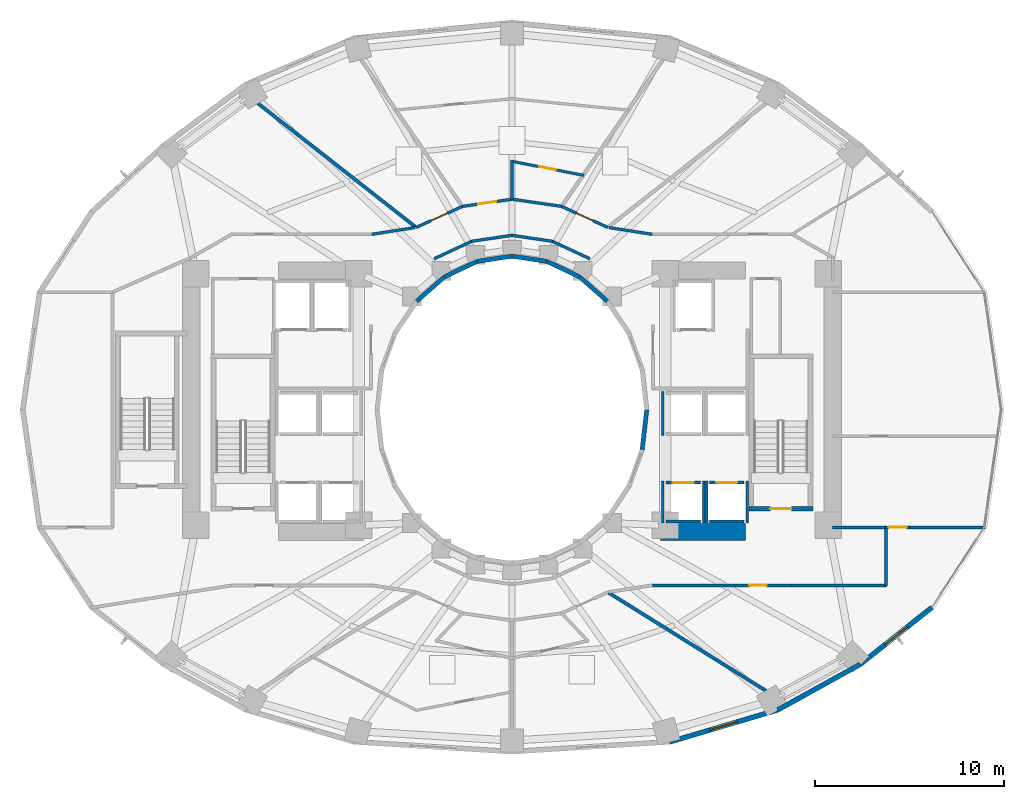
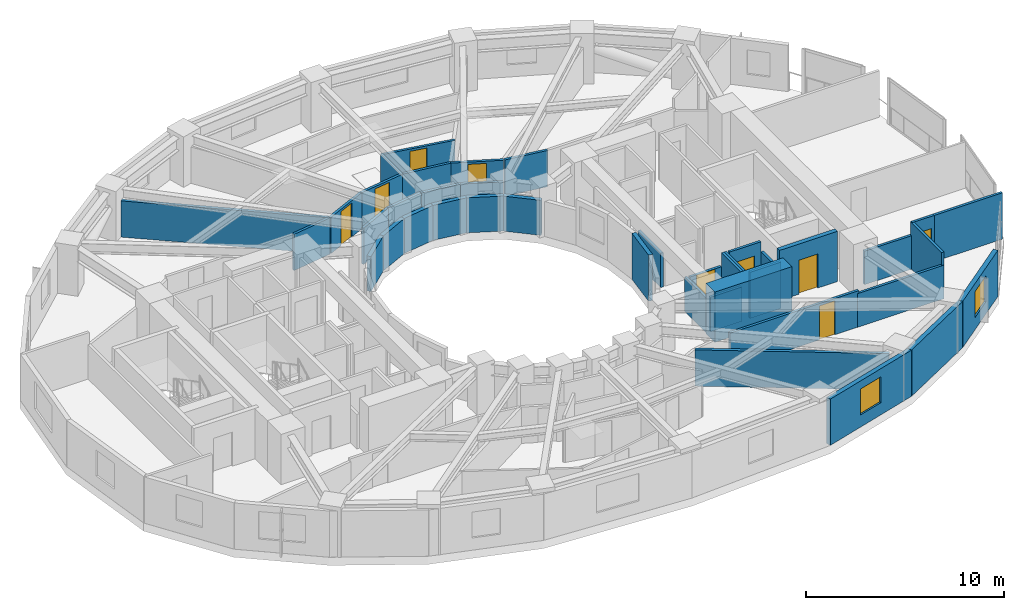
# One storey, part 9 of 14: 41 walls, 9 doors, 2 windows, 11 openings.
"""IFC4 building model written with IfcOpenShell, lengths in metres."""

from ifc_helpers import new_model, si_unit, direction, frame, frame_2d, origin, place, context, subcontext, project, spatial, rectangle, extrude, material, layer, layer_set, type_object, element, fill, save


model = new_model("IFC4")

# Units and contexts
model_context = context("Model", 3, precision=1e-05, world=origin(), true_north=direction((0.0, 1.0)))
body_context = subcontext(model_context, "Body", "Model", "MODEL_VIEW")
ifc_project = project(units=[si_unit("LENGTHUNIT", "METRE"), si_unit("AREAUNIT", "SQUARE_METRE"), si_unit("VOLUMEUNIT", "CUBIC_METRE"), si_unit("PLANEANGLEUNIT", "RADIAN"), si_unit("MASSUNIT", "GRAM", prefix="KILO")], contexts=[model_context])

# Site, building, storey
site_placement = place(None, origin())
site = spatial("IfcSite", under=ifc_project, at=site_placement, CompositionType="ELEMENT")
building_placement = place(site_placement, origin())
building = spatial("IfcBuilding", under=site, at=building_placement, Name="Solvane Sanctuary Tower", CompositionType="ELEMENT")
storey_placement = place(building_placement, frame((0.0, 0.0, 36.89990234375)))
storey = spatial("IfcBuildingStorey", under=building, at=storey_placement, Name="L10", CompositionType="ELEMENT", Elevation=36.89990234375)

# Walls
ifc_material_1 = material(Name="Concrete C70/85", Category="concrete")
ifc_layer_1 = layer(ifc_material_1, 0.89990234375, Name="Concrete C70/85")
ifc_layer_set_1 = layer_set([ifc_layer_1], Name="Concrete C70/85")
wall_type_1 = type_object("IfcWallType", Name="Wall W-CORE-900", PredefinedType="SHEAR", material=ifc_layer_set_1)
wall_1_placement = place(storey_placement, frame((39.85009765625, 16.550048828125, 0.0), z_axis=(0.0, 0.0, 1.0), x_axis=(1.0, 0.0, 0.0)))
element("IfcWall", 1, at=wall_1_placement, inside=storey, type_object=wall_type_1, Name="L10 Core Shear Wall EC-S", PredefinedType="SHEAR", context=body_context, shape_type="SweptSolid", body=[
    extrude(rectangle(XDim=4.5, YDim=0.89990234375, at=frame_2d((2.25, 0.0))), origin(), (0.0, 0.0, 1.0), 3.10009765625),
])
ifc_material_2 = material(Name="Acoustic Gypsum Partition Board")
ifc_layer_2 = layer(ifc_material_2, 0.14990234375, Name="Acoustic Gypsum Partition Board")
ifc_layer_set_2 = layer_set([ifc_layer_2], Name="Acoustic Gypsum Partition Board")
wall_type_2 = type_object("IfcWallType", Name="Wall W-CORR-150", PredefinedType="PARTITIONING", material=ifc_layer_set_2)
wall_2_placement = place(storey_placement, frame((36.110107421875, 30.98486328125, 0.0), z_axis=(0.0, 0.0, 1.0), x_axis=(-0.906943449489, 0.421252393975, 0.0)))
element("IfcWall", 2, at=wall_2_placement, inside=storey, type_object=wall_type_2, Name="L10 Light-Well Corridor Rim Wall N1", PredefinedType="PARTITIONING", context=body_context, shape_type="SweptSolid", body=[
    extrude(rectangle(XDim=2.18603515625, YDim=0.14990234375, at=frame_2d((1.093017578125, 0.0))), origin(), (0.0, 0.0, 1.0), 2.237060546875),
])
for number, where, z_axis, x_axis, name in (
    (3, (34.12744140625, 31.90576171875, 0.0), (0.0, 0.0, 1.0), (-0.989268584896, 0.146108408166, 0.0), "L10 Light-Well Corridor Rim Wall N2"),
    (4, (32.0, 32.219970703125, 0.0), (0.0, 0.0, 1.0), (-0.989268584896, -0.146108408166, 0.0), "L10 Light-Well Corridor Rim Wall N3"),
):
    element("IfcWall", number, at=place(storey_placement, frame(where, z_axis=z_axis, x_axis=x_axis)), inside=storey, type_object=wall_type_2, Name=name, PredefinedType="PARTITIONING", context=body_context, shape_type="SweptSolid", body=[
        extrude(rectangle(XDim=2.150634765625, YDim=0.14990234375, at=frame_2d((1.0751953125, 0.0))), origin(), (0.0, 0.0, 1.0), 2.237060546875),
    ])
wall_3_placement = place(storey_placement, frame((29.87255859375, 31.90576171875, 0.0), z_axis=(0.0, 0.0, 1.0), x_axis=(-0.906943449489, -0.421252393975, 0.0)))
element("IfcWall", 5, at=wall_3_placement, inside=storey, type_object=wall_type_2, Name="L10 Light-Well Corridor Rim Wall N4", PredefinedType="PARTITIONING", context=body_context, shape_type="SweptSolid", body=[
    extrude(rectangle(XDim=2.18603515625, YDim=0.14990234375, at=frame_2d((1.093017578125, 0.0))), origin(), (0.0, 0.0, 1.0), 2.237060546875),
])
wall_4_placement = place(storey_placement, frame((48.949951171875, 16.788330078125, 0.0), z_axis=(0.0, 0.0, 1.0), x_axis=(1.0, 0.0, 0.0)))
element("IfcWall", 6, at=wall_4_placement, inside=storey, type_object=wall_type_2, Name="L10 East Shoulder South Wall", PredefinedType="PARTITIONING", context=body_context, shape_type="SweptSolid", body=[
    extrude(rectangle(XDim=2.79296875, YDim=0.14990234375, at=frame_2d((1.396484375, 0.0))), origin(), (0.0, 0.0, 1.0), 2.069091796875),
])

# Wall, opening, door
wall_5_placement = place(storey_placement, frame((51.742919921875, 16.788330078125, 0.0), z_axis=(0.0, 0.0, 1.0), x_axis=(1.0, 0.0, 0.0)))
wall_5 = element("IfcWall", 7, at=wall_5_placement, inside=storey, type_object=wall_type_2, Name="L10 East Shoulder South Wall", PredefinedType="PARTITIONING", context=body_context, shape_type="SweptSolid", body=[
    extrude(rectangle(XDim=1.27001953125, YDim=0.14990234375, at=frame_2d((0.635009765625, 0.0))), origin(), (0.0, 0.0, 1.0), 2.85498046875),
])
opening_1_placement = place(wall_5_placement, frame((0.159912109375, 0.0, 0.0)))
opening_1 = element("IfcOpeningElement", 8, at=opening_1_placement, cuts=wall_5, Name="Opening D-L10-08", PredefinedType="OPENING", context=body_context, shape_type="SweptSolid", body=[
    extrude(rectangle(XDim=0.949951171875, YDim=2.10009765625, at=frame_2d((0.47509765625, 1.050048828125))), frame((0.0, 0.0849609375, 0.0), z_axis=(0.0, -1.0, 0.0), x_axis=(1.0, 0.0, 0.0)), (0.0, 0.0, 1.0), 0.169921875),
])
ifc_material_3 = material(Name="Engineered Tropical Hardwood", Category="wood")
door_type_1 = type_object("IfcDoorType", Name="Door D-ROOM-950", OperationType="NOTDEFINED", PredefinedType="DOOR", material=ifc_material_3)
door_1_placement = place(opening_1_placement, origin())
door_1 = element("IfcDoor", 9, at=door_1_placement, inside=storey, type_object=door_type_1, Name="L10 East Shoulder South Door", OperationType="SINGLE_SWING_RIGHT", OverallHeight=2.10009765625, OverallWidth=0.949951171875, PredefinedType="DOOR", context=body_context, shape_type="SweptSolid", body=[
    extrude(rectangle(XDim=0.949951171875, YDim=2.10009765625, at=frame_2d((0.47509765625, 1.050048828125))), frame((0.0, 0.02490234375, 0.0), z_axis=(0.0, -1.0, 0.0), x_axis=(1.0, 0.0, 0.0)), (0.0, 0.0, 1.0), 0.050048828125),
])
fill(opening_1, door_1)

# Walls
wall_6_placement = place(storey_placement, frame((53.012939453125, 16.788330078125, 0.0), z_axis=(0.0, 0.0, 1.0), x_axis=(1.0, 0.0, 0.0)))
element("IfcWall", 10, at=wall_6_placement, inside=storey, type_object=wall_type_2, Name="L10 East Shoulder South Wall", PredefinedType="PARTITIONING", context=body_context, shape_type="SweptSolid", body=[
    extrude(rectangle(XDim=3.973388671875, YDim=0.14990234375, at=frame_2d((1.98681640625, 0.0))), origin(), (0.0, 0.0, 1.0), 2.85498046875),
])
for number, where, z_axis, x_axis, name in (
    (11, (37.119384765625, 32.630615234375, 0.0), (0.0, 0.0, 1.0), (0.988184633586, -0.153268163508, 0.0), "L10 NE Corner Throat Wall"),
    (12, (26.880615234375, 32.630615234375, 0.0), (0.0, 0.0, 1.0), (-0.988184633586, -0.153268163508, 0.0), "L10 NW Corner Throat Wall"),
):
    element("IfcWall", number, at=place(storey_placement, frame(where, z_axis=z_axis, x_axis=x_axis)), inside=storey, type_object=wall_type_2, Name=name, PredefinedType="PARTITIONING", context=body_context, shape_type="SweptSolid", body=[
        extrude(rectangle(XDim=2.317626953125, YDim=0.14990234375, at=frame_2d((1.15869140625, 0.0))), origin(), (0.0, 0.0, 1.0), 2.237060546875),
    ])
wall_7_placement = place(storey_placement, frame((51.760009765625, 13.679931640625, 0.0), z_axis=(0.0, 0.0, 1.0), x_axis=(0.0, 1.0, 0.0)))
element("IfcWall", 13, at=wall_7_placement, inside=storey, type_object=wall_type_2, Name="L10 SE Corner Closer 1", PredefinedType="PARTITIONING", context=body_context, shape_type="SweptSolid", body=[
    extrude(rectangle(XDim=3.1484375, YDim=0.14990234375, at=frame_2d((1.57421875, 0.0))), origin(), (0.0, 0.0, 1.0), 2.85498046875),
])

# Wall, opening, door
wall_8_placement = place(storey_placement, frame((39.330078125, 13.719970703125, 0.0), z_axis=(0.0, 0.0, 1.0), x_axis=(1.0, 0.0, 0.0)))
wall_8 = element("IfcWall", 14, at=wall_8_placement, inside=storey, type_object=wall_type_2, Name="L10 SE Corner Corridor Wall", PredefinedType="PARTITIONING", context=body_context, shape_type="SweptSolid", body=[
    extrude(rectangle(XDim=7.52001953125, YDim=0.14990234375, at=frame_2d((3.760009765625, 0.0))), origin(), (0.0, 0.0, 1.0), 2.237060546875),
])
opening_2_placement = place(wall_8_placement, frame((5.219970703125, 0.0, 0.0)))
opening_2 = element("IfcOpeningElement", 15, at=opening_2_placement, cuts=wall_8, Name="Opening D-L10-15", PredefinedType="OPENING", context=body_context, shape_type="SweptSolid", body=[
    extrude(rectangle(XDim=0.89990234375, YDim=2.10009765625, at=frame_2d((0.449951171875, 1.050048828125))), frame((0.0, 0.0849609375, 0.0), z_axis=(0.0, -1.0, 0.0), x_axis=(1.0, 0.0, 0.0)), (0.0, 0.0, 1.0), 0.169921875),
])
door_type_2 = type_object("IfcDoorType", Name="Door D-WET-900", OperationType="NOTDEFINED", PredefinedType="DOOR", material=ifc_material_3)
door_2_placement = place(opening_2_placement, origin())
door_2 = element("IfcDoor", 16, at=door_2_placement, inside=storey, type_object=door_type_2, Name="L10 SE Corner Salon Door", OperationType="SINGLE_SWING_LEFT", OverallHeight=2.10009765625, OverallWidth=0.89990234375, PredefinedType="DOOR", context=body_context, shape_type="SweptSolid", body=[
    extrude(rectangle(XDim=0.89990234375, YDim=2.10009765625, at=frame_2d((0.449951171875, 1.050048828125))), frame((0.0, 0.02490234375, 0.0), z_axis=(0.0, -1.0, 0.0), x_axis=(1.0, 0.0, 0.0)), (0.0, 0.0, 1.0), 0.050048828125),
])
fill(opening_2, door_2)

# Wall
wall_9_placement = place(storey_placement, frame((46.75, 13.719970703125, 0.0), z_axis=(0.0, 0.0, 1.0), x_axis=(1.0, 0.0, 0.0)))
element("IfcWall", 17, at=wall_9_placement, inside=storey, type_object=wall_type_2, Name="L10 SE Corner Wing Wall", PredefinedType="PARTITIONING", context=body_context, shape_type="SweptSolid", body=[
    extrude(rectangle(XDim=5.050048828125, YDim=0.14990234375, at=frame_2d((2.52490234375, 0.0))), origin(), (0.0, 0.0, 1.0), 2.069091796875),
])

# Wall, opening, door
wall_10_placement = place(storey_placement, frame((37.071044921875, 32.635009765625, 0.0), z_axis=(0.0, 0.0, 1.0), x_axis=(-0.910186679378, 0.414198272186, 0.0)))
wall_10 = element("IfcWall", 18, at=wall_10_placement, inside=storey, type_object=wall_type_2, Name="L10 Unit Corridor Wall N1", PredefinedType="PARTITIONING", context=body_context, shape_type="SweptSolid", body=[
    extrude(rectangle(XDim=2.698486328125, YDim=0.14990234375, at=frame_2d((1.34912109375, 0.0))), origin(), (0.0, 0.0, 1.0), 2.237060546875),
])
opening_3_placement = place(wall_10_placement, frame((0.874267578125, 0.0, 0.0)))
opening_3 = element("IfcOpeningElement", 19, at=opening_3_placement, cuts=wall_10, Name="Opening D-L10-16", PredefinedType="OPENING", context=body_context, shape_type="SweptSolid", body=[
    extrude(rectangle(XDim=0.949951171875, YDim=2.10009765625, at=frame_2d((0.47509765625, 1.050048828125))), frame((0.0, 0.0849609375, 0.0), z_axis=(0.0, -1.0, 0.0), x_axis=(1.0, 0.0, 0.0)), (0.0, 0.0, 1.0), 0.169921875),
])
door_3_placement = place(opening_3_placement, origin())
door_3 = element("IfcDoor", 20, at=door_3_placement, inside=storey, type_object=door_type_1, Name="L10 Unit Entrance Door N1", OperationType="SINGLE_SWING_RIGHT", OverallHeight=2.10009765625, OverallWidth=0.949951171875, PredefinedType="DOOR", context=body_context, shape_type="SweptSolid", body=[
    extrude(rectangle(XDim=0.949951171875, YDim=2.10009765625, at=frame_2d((0.47509765625, 1.050048828125))), frame((0.0, 0.02490234375, 0.0), z_axis=(0.0, -1.0, 0.0), x_axis=(1.0, 0.0, 0.0)), (0.0, 0.0, 1.0), 0.050048828125),
])
fill(opening_3, door_3)

# Wall
wall_11_placement = place(storey_placement, frame((34.67138671875, 33.74365234375, 0.0), z_axis=(0.0, 0.0, 1.0), x_axis=(-0.989701115085, 0.143149232617, 0.0)))
element("IfcWall", 21, at=wall_11_placement, inside=storey, type_object=wall_type_2, Name="L10 En-suite Inner Wall N2", PredefinedType="PARTITIONING", context=body_context, shape_type="SweptSolid", body=[
    extrude(rectangle(XDim=2.749267578125, YDim=0.14990234375, at=frame_2d((1.37451171875, 0.0))), origin(), (0.0, 0.0, 1.0), 2.237060546875),
])

# Wall, opening, door
wall_12_placement = place(storey_placement, frame((32.007080078125, 34.1298828125, 0.0), z_axis=(0.0, 0.0, 1.0), x_axis=(-0.989707881179, -0.143102445584, 0.0)))
wall_12 = element("IfcWall", 22, at=wall_12_placement, inside=storey, type_object=wall_type_2, Name="L10 Unit Corridor Wall N2", PredefinedType="PARTITIONING", context=body_context, shape_type="SweptSolid", body=[
    extrude(rectangle(XDim=2.6630859375, YDim=0.14990234375, at=frame_2d((1.33154296875, 0.0))), origin(), (0.0, 0.0, 1.0), 2.237060546875),
])
opening_4_placement = place(wall_12_placement, frame((0.856689453125, 0.0, 0.0)))
opening_4 = element("IfcOpeningElement", 23, at=opening_4_placement, cuts=wall_12, Name="Opening D-L10-19", PredefinedType="OPENING", context=body_context, shape_type="SweptSolid", body=[
    extrude(rectangle(XDim=0.949951171875, YDim=2.10009765625, at=frame_2d((0.47509765625, 1.050048828125))), frame((0.0, 0.0849609375, 0.0), z_axis=(0.0, -1.0, 0.0), x_axis=(1.0, 0.0, 0.0)), (0.0, 0.0, 1.0), 0.169921875),
])
door_4_placement = place(opening_4_placement, origin())
door_4 = element("IfcDoor", 24, at=door_4_placement, inside=storey, type_object=door_type_1, Name="L10 Unit Entrance Door N2", OperationType="SINGLE_SWING_LEFT", OverallHeight=2.10009765625, OverallWidth=0.949951171875, PredefinedType="DOOR", context=body_context, shape_type="SweptSolid", body=[
    extrude(rectangle(XDim=0.949951171875, YDim=2.10009765625, at=frame_2d((0.47509765625, 1.050048828125))), frame((0.0, 0.02490234375, 0.0), z_axis=(0.0, -1.0, 0.0), x_axis=(1.0, 0.0, 0.0)), (0.0, 0.0, 1.0), 0.050048828125),
])
fill(opening_4, door_4)

wall_13_placement = place(storey_placement, frame((29.385009765625, 33.752685546875, 0.0), z_axis=(0.0, 0.0, 1.0), x_axis=(-0.910186679378, -0.414198272186, 0.0)))
wall_13 = element("IfcWall", 25, at=wall_13_placement, inside=storey, type_object=wall_type_2, Name="L10 Unit Corridor Wall N3", PredefinedType="PARTITIONING", context=body_context, shape_type="SweptSolid", body=[
    extrude(rectangle(XDim=2.698486328125, YDim=0.14990234375, at=frame_2d((1.34912109375, 0.0))), origin(), (0.0, 0.0, 1.0), 2.237060546875),
])
opening_5_placement = place(wall_13_placement, frame((0.874267578125, 0.0, 0.0)))
opening_5 = element("IfcOpeningElement", 26, at=opening_5_placement, cuts=wall_13, Name="Opening D-L10-20", PredefinedType="OPENING", context=body_context, shape_type="SweptSolid", body=[
    extrude(rectangle(XDim=0.949951171875, YDim=2.10009765625, at=frame_2d((0.47509765625, 1.050048828125))), frame((0.0, 0.0849609375, 0.0), z_axis=(0.0, -1.0, 0.0), x_axis=(1.0, 0.0, 0.0)), (0.0, 0.0, 1.0), 0.169921875),
])
door_5_placement = place(opening_5_placement, origin())
door_5 = element("IfcDoor", 27, at=door_5_placement, inside=storey, type_object=door_type_1, Name="L10 Unit Entrance Door N3", OperationType="SINGLE_SWING_RIGHT", OverallHeight=2.10009765625, OverallWidth=0.949951171875, PredefinedType="DOOR", context=body_context, shape_type="SweptSolid", body=[
    extrude(rectangle(XDim=0.949951171875, YDim=2.10009765625, at=frame_2d((0.47509765625, 1.050048828125))), frame((0.0, 0.02490234375, 0.0), z_axis=(0.0, -1.0, 0.0), x_axis=(1.0, 0.0, 0.0)), (0.0, 0.0, 1.0), 0.050048828125),
])
fill(opening_5, door_5)

# Wall, opening, window
ifc_material_4 = material(Name="Precast concrete C40/50", Category="concrete")
ifc_layer_3 = layer(ifc_material_4, 0.260009765625, Name="Precast concrete C40/50")
ifc_layer_set_3 = layer_set([ifc_layer_3], Name="Precast concrete C40/50")
wall_type_3 = type_object("IfcWallType", Name="Wall W-EXT-250", PredefinedType="STANDARD", material=ifc_layer_set_3)
wall_14_placement = place(storey_placement, frame((40.331787109375, 5.447021484375, 0.0), z_axis=(0.0, 0.0, 1.0), x_axis=(0.958843593522, 0.283934786811, 0.0)))
wall_14 = element("IfcWall", 28, at=wall_14_placement, inside=storey, type_object=wall_type_3, Name="L10 Ceramic-Printed Facade Wall 19", PredefinedType="STANDARD", context=body_context, shape_type="SweptSolid", body=[
    extrude(rectangle(XDim=5.955322265625, YDim=0.260009765625, at=frame_2d((2.9775390625, 0.0))), origin(), (0.0, 0.0, 1.0), 2.85009765625),
])
opening_6_placement = place(wall_14_placement, frame((2.227783203125, 0.0, 0.75)))
opening_6 = element("IfcOpeningElement", 29, at=opening_6_placement, cuts=wall_14, Name="Opening WN-OPER-1500", PredefinedType="OPENING", context=body_context, shape_type="SweptSolid", body=[
    extrude(rectangle(XDim=1.5, YDim=1.60009765625, at=frame_2d((0.75, 0.800048828125))), frame((0.0, 0.139892578125, 0.0), z_axis=(0.0, -1.0, 0.0), x_axis=(1.0, 0.0, 0.0)), (0.0, 0.0, 1.0), 0.280029296875),
])
ifc_material_5 = material(Name="Dark Ceramic-Fritted Low-E Glass", Category="glass")
window_type = type_object("IfcWindowType", Name="Window WN-OPER-1500", PartitioningType="SINGLE_PANEL", PredefinedType="WINDOW", material=ifc_material_5)
window_1_placement = place(opening_6_placement, origin())
window_1 = element("IfcWindow", 30, at=window_1_placement, inside=storey, type_object=window_type, Name="L10 Operable Facade Window 19", OverallHeight=1.60009765625, OverallWidth=1.5, PartitioningType="SINGLE_PANEL", PredefinedType="WINDOW", context=body_context, shape_type="SweptSolid", body=[
    extrude(rectangle(XDim=1.5, YDim=1.60009765625, at=frame_2d((0.75, 0.800048828125))), frame((0.0, 0.030029296875, 0.0), z_axis=(0.0, -1.0, 0.0), x_axis=(1.0, 0.0, 0.0)), (0.0, 0.0, 1.0), 0.06005859375),
])
fill(opening_6, window_1)

# Wall
wall_15_placement = place(storey_placement, frame((46.0419921875, 7.137939453125, 0.0), z_axis=(0.0, 0.0, 1.0), x_axis=(0.875137303239, 0.483874674352, 0.0)))
element("IfcWall", 31, at=wall_15_placement, inside=storey, type_object=wall_type_3, Name="L10 Ceramic-Printed Facade Wall 20", PredefinedType="STANDARD", context=body_context, shape_type="SweptSolid", body=[
    extrude(rectangle(XDim=4.985107421875, YDim=0.260009765625, at=frame_2d((2.49267578125, 0.0))), origin(), (0.0, 0.0, 1.0), 2.85009765625),
])

# Wall, opening, window
wall_16_placement = place(storey_placement, frame((50.404541015625, 9.550048828125, 0.0), z_axis=(0.0, 0.0, 1.0), x_axis=(0.783123133379, 0.621866672179, 0.0)))
wall_16 = element("IfcWall", 32, at=wall_16_placement, inside=storey, type_object=wall_type_3, Name="L10 Ceramic-Printed Facade Wall 21", PredefinedType="STANDARD", context=body_context, shape_type="SweptSolid", body=[
    extrude(rectangle(XDim=4.838623046875, YDim=0.260009765625, at=frame_2d((2.41943359375, 0.0))), origin(), (0.0, 0.0, 1.0), 2.85009765625),
])
opening_7_placement = place(wall_16_placement, frame((1.669189453125, 0.0, 0.75)))
opening_7 = element("IfcOpeningElement", 33, at=opening_7_placement, cuts=wall_16, Name="Opening WN-OPER-1500", PredefinedType="OPENING", context=body_context, shape_type="SweptSolid", body=[
    extrude(rectangle(XDim=1.5, YDim=1.60009765625, at=frame_2d((0.75, 0.800048828125))), frame((0.0, 0.139892578125, 0.0), z_axis=(0.0, -1.0, 0.0), x_axis=(1.0, 0.0, 0.0)), (0.0, 0.0, 1.0), 0.280029296875),
])
window_2_placement = place(opening_7_placement, origin())
window_2 = element("IfcWindow", 34, at=window_2_placement, inside=storey, type_object=window_type, Name="L10 Operable Facade Window 21", OverallHeight=1.60009765625, OverallWidth=1.5, PartitioningType="SINGLE_PANEL", PredefinedType="WINDOW", context=body_context, shape_type="SweptSolid", body=[
    extrude(rectangle(XDim=1.5, YDim=1.60009765625, at=frame_2d((0.75, 0.800048828125))), frame((0.0, 0.030029296875, 0.0), z_axis=(0.0, -1.0, 0.0), x_axis=(1.0, 0.0, 0.0)), (0.0, 0.0, 1.0), 0.06005859375),
])
fill(opening_7, window_2)

# Walls
ifc_layer_4 = layer(ifc_material_4, 0.22998046875, Name="Precast concrete C40/50")
ifc_layer_set_4 = layer_set([ifc_layer_4], Name="Precast concrete C40/50")
wall_type_4 = type_object("IfcWallType", Name="Wall W-EXT-SP220", PredefinedType="STANDARD", material=ifc_layer_set_4)
wall_17_placement = place(storey_placement, frame((37.03466796875, 28.74169921875, 0.0), z_axis=(0.0, 0.0, 1.0), x_axis=(-0.752576694707, 0.658504607869, 0.0)))
element("IfcWall", 35, at=wall_17_placement, inside=storey, type_object=wall_type_4, Name="L10 Central Light-Well Wall 03", PredefinedType="STANDARD", context=body_context, shape_type="SweptSolid", body=[
    extrude(rectangle(XDim=1.95947265625, YDim=0.22998046875, at=frame_2d((0.979736328125, 0.0))), origin(), (0.0, 0.0, 1.0), 2.16015625),
])
wall_18_placement = place(storey_placement, frame((35.56005859375, 30.031982421875, 0.0), z_axis=(0.0, 0.0, 1.0), x_axis=(-0.904179699603, 0.427152280606, 0.0)))
element("IfcWall", 36, at=wall_18_placement, inside=storey, type_object=wall_type_4, Name="L10 Central Light-Well Wall 04", PredefinedType="STANDARD", context=body_context, shape_type="SweptSolid", body=[
    extrude(rectangle(XDim=1.899169921875, YDim=0.22998046875, at=frame_2d((0.94970703125, 0.0))), origin(), (0.0, 0.0, 1.0), 2.16015625),
])
for number, where, z_axis, x_axis, name in (
    (37, (33.8427734375, 30.84326171875, 0.0), (0.0, 0.0, 1.0), (-0.988901730308, 0.148571086668, 0.0), "L10 Central Light-Well Wall 05"),
    (38, (32.0, 31.1201171875, 0.0), (0.0, 0.0, 1.0), (-0.988901730308, -0.148571086668, 0.0), "L10 Central Light-Well Wall 06"),
):
    element("IfcWall", number, at=place(storey_placement, frame(where, z_axis=z_axis, x_axis=x_axis)), inside=storey, type_object=wall_type_4, Name=name, PredefinedType="STANDARD", context=body_context, shape_type="SweptSolid", body=[
        extrude(rectangle(XDim=1.863525390625, YDim=0.22998046875, at=frame_2d((0.931640625, 0.0))), origin(), (0.0, 0.0, 1.0), 2.16015625),
    ])
wall_19_placement = place(storey_placement, frame((30.1572265625, 30.84326171875, 0.0), z_axis=(0.0, 0.0, 1.0), x_axis=(-0.904179699603, -0.427152280606, 0.0)))
element("IfcWall", 39, at=wall_19_placement, inside=storey, type_object=wall_type_4, Name="L10 Central Light-Well Wall 07", PredefinedType="STANDARD", context=body_context, shape_type="SweptSolid", body=[
    extrude(rectangle(XDim=1.899169921875, YDim=0.22998046875, at=frame_2d((0.94970703125, 0.0))), origin(), (0.0, 0.0, 1.0), 2.16015625),
])
wall_20_placement = place(storey_placement, frame((28.43994140625, 30.031982421875, 0.0), z_axis=(0.0, 0.0, 1.0), x_axis=(-0.752576694707, -0.658504607869, 0.0)))
element("IfcWall", 40, at=wall_20_placement, inside=storey, type_object=wall_type_4, Name="L10 Central Light-Well Wall 08", PredefinedType="STANDARD", context=body_context, shape_type="SweptSolid", body=[
    extrude(rectangle(XDim=1.95947265625, YDim=0.22998046875, at=frame_2d((0.979736328125, 0.0))), origin(), (0.0, 0.0, 1.0), 2.16015625),
])
wall_21_placement = place(storey_placement, frame((38.87744140625, 20.8984375, 0.0), z_axis=(0.0, 0.0, 1.0), x_axis=(0.114711713601, 0.993398823617, 0.0)))
element("IfcWall", 41, at=wall_21_placement, inside=storey, type_object=wall_type_4, Name="L10 Central Light-Well Wall 23", PredefinedType="STANDARD", context=body_context, shape_type="SweptSolid", body=[
    extrude(rectangle(XDim=2.115478515625, YDim=0.22998046875, at=frame_2d((1.0576171875, 0.0))), origin(), (0.0, 0.0, 1.0), 2.840087890625),
])

# Wall, opening, door
ifc_material_6 = material(Name="Concrete C50/60", Category="concrete")
ifc_layer_5 = layer(ifc_material_6, 0.14990234375, Name="Concrete C50/60")
ifc_layer_set_5 = layer_set([ifc_layer_5], Name="Concrete C50/60")
wall_type_5 = type_object("IfcWallType", Name="Wall W-SHAFT-150", PredefinedType="SOLIDWALL", material=ifc_layer_set_5)
wall_22_placement = place(storey_placement, frame((40.139892578125, 19.159912109375, 0.0), z_axis=(0.0, 0.0, 1.0), x_axis=(1.0, 0.0, 0.0)))
wall_22 = element("IfcWall", 42, at=wall_22_placement, inside=storey, type_object=wall_type_5, Name="L10 PL-3 Lift Shaft Wall F", PredefinedType="SOLIDWALL", context=body_context, shape_type="SweptSolid", body=[
    extrude(rectangle(XDim=1.820068359375, YDim=0.14990234375, at=frame_2d((0.91015625, 0.0))), origin(), (0.0, 0.0, 1.0), 2.1201171875),
])
opening_8_placement = place(wall_22_placement, frame((0.360107421875, 0.0, 0.0)))
opening_8 = element("IfcOpeningElement", 43, at=opening_8_placement, cuts=wall_22, Name="Opening LD-L10-03", PredefinedType="OPENING", context=body_context, shape_type="SweptSolid", body=[
    extrude(rectangle(XDim=1.10009765625, YDim=2.10009765625, at=frame_2d((0.550048828125, 1.050048828125))), frame((0.0, 0.0849609375, 0.0), z_axis=(0.0, -1.0, 0.0), x_axis=(1.0, 0.0, 0.0)), (0.0, 0.0, 1.0), 0.169921875),
])
ifc_material_7 = material(Name="Architectural Stainless Steel 316", Category="steel")
door_type_3 = type_object("IfcDoorType", Name="Door LD-PASS-1100", OperationType="NOTDEFINED", PredefinedType="DOOR", material=ifc_material_7)
door_6_placement = place(opening_8_placement, origin())
door_6 = element("IfcDoor", 44, at=door_6_placement, inside=storey, type_object=door_type_3, Name="L10 PL-3 Lift Landing Door", OperationType="DOUBLE_DOOR_SLIDING", OverallHeight=2.10009765625, OverallWidth=1.10009765625, PredefinedType="DOOR", context=body_context, shape_type="SweptSolid", body=[
    extrude(rectangle(XDim=1.10009765625, YDim=2.10009765625, at=frame_2d((0.550048828125, 1.050048828125))), frame((0.0, 0.02490234375, 0.0), z_axis=(0.0, -1.0, 0.0), x_axis=(1.0, 0.0, 0.0)), (0.0, 0.0, 1.0), 0.050048828125),
])
fill(opening_8, door_6)

# Walls
wall_23_placement = place(storey_placement, frame((40.139892578125, 17.10009765625, 0.0), z_axis=(0.0, 0.0, 1.0), x_axis=(1.0, 0.0, 0.0)))
element("IfcWall", 45, at=wall_23_placement, inside=storey, type_object=wall_type_5, Name="L10 PL-3 Lift Shaft Wall B", PredefinedType="SOLIDWALL", context=body_context, shape_type="SweptSolid", body=[
    extrude(rectangle(XDim=1.820068359375, YDim=0.14990234375, at=frame_2d((0.91015625, 0.0))), origin(), (0.0, 0.0, 1.0), 2.1201171875),
])
wall_24_placement = place(storey_placement, frame((39.969970703125, 17.02001953125, 0.0), z_axis=(0.0, 0.0, 1.0), x_axis=(0.0, 1.0, 0.0)))
element("IfcWall", 46, at=wall_24_placement, inside=storey, type_object=wall_type_5, Name="L10 PL-3 Lift Shaft Wall S1", PredefinedType="SOLIDWALL", context=body_context, shape_type="SweptSolid", body=[
    extrude(rectangle(XDim=2.219970703125, YDim=0.14990234375, at=frame_2d((1.10986328125, 0.0))), origin(), (0.0, 0.0, 1.0), 2.1201171875),
])
wall_25_placement = place(storey_placement, frame((42.1298828125, 17.02001953125, 0.0), z_axis=(0.0, 0.0, 1.0), x_axis=(0.0, 1.0, 0.0)))
element("IfcWall", 47, at=wall_25_placement, inside=storey, type_object=wall_type_5, Name="L10 PL-3 Lift Shaft Wall S2", PredefinedType="SOLIDWALL", context=body_context, shape_type="SweptSolid", body=[
    extrude(rectangle(XDim=2.219970703125, YDim=0.14990234375, at=frame_2d((1.10986328125, 0.0))), origin(), (0.0, 0.0, 1.0), 2.85498046875),
])

# Wall, opening, door
wall_26_placement = place(storey_placement, frame((42.43994140625, 19.159912109375, 0.0), z_axis=(0.0, 0.0, 1.0), x_axis=(1.0, 0.0, 0.0)))
wall_26 = element("IfcWall", 48, at=wall_26_placement, inside=storey, type_object=wall_type_5, Name="L10 PL-4 Lift Shaft Wall F", PredefinedType="SOLIDWALL", context=body_context, shape_type="SweptSolid", body=[
    extrude(rectangle(XDim=1.820068359375, YDim=0.14990234375, at=frame_2d((0.91015625, 0.0))), origin(), (0.0, 0.0, 1.0), 2.85498046875),
])
opening_9_placement = place(wall_26_placement, frame((0.360107421875, 0.0, 0.0)))
opening_9 = element("IfcOpeningElement", 49, at=opening_9_placement, cuts=wall_26, Name="Opening LD-L10-04", PredefinedType="OPENING", context=body_context, shape_type="SweptSolid", body=[
    extrude(rectangle(XDim=1.10009765625, YDim=2.10009765625, at=frame_2d((0.550048828125, 1.050048828125))), frame((0.0, 0.0849609375, 0.0), z_axis=(0.0, -1.0, 0.0), x_axis=(1.0, 0.0, 0.0)), (0.0, 0.0, 1.0), 0.169921875),
])
door_7_placement = place(opening_9_placement, origin())
door_7 = element("IfcDoor", 50, at=door_7_placement, inside=storey, type_object=door_type_3, Name="L10 PL-4 Lift Landing Door", OperationType="DOUBLE_DOOR_SLIDING", OverallHeight=2.10009765625, OverallWidth=1.10009765625, PredefinedType="DOOR", context=body_context, shape_type="SweptSolid", body=[
    extrude(rectangle(XDim=1.10009765625, YDim=2.10009765625, at=frame_2d((0.550048828125, 1.050048828125))), frame((0.0, 0.02490234375, 0.0), z_axis=(0.0, -1.0, 0.0), x_axis=(1.0, 0.0, 0.0)), (0.0, 0.0, 1.0), 0.050048828125),
])
fill(opening_9, door_7)

# Walls
wall_27_placement = place(storey_placement, frame((42.43994140625, 17.10009765625, 0.0), z_axis=(0.0, 0.0, 1.0), x_axis=(1.0, 0.0, 0.0)))
element("IfcWall", 51, at=wall_27_placement, inside=storey, type_object=wall_type_5, Name="L10 PL-4 Lift Shaft Wall B", PredefinedType="SOLIDWALL", context=body_context, shape_type="SweptSolid", body=[
    extrude(rectangle(XDim=1.820068359375, YDim=0.14990234375, at=frame_2d((0.91015625, 0.0))), origin(), (0.0, 0.0, 1.0), 2.85498046875),
])
wall_28_placement = place(storey_placement, frame((42.27001953125, 17.02001953125, 0.0), z_axis=(0.0, 0.0, 1.0), x_axis=(0.0, 1.0, 0.0)))
element("IfcWall", 52, at=wall_28_placement, inside=storey, type_object=wall_type_5, Name="L10 PL-4 Lift Shaft Wall S1", PredefinedType="SOLIDWALL", context=body_context, shape_type="SweptSolid", body=[
    extrude(rectangle(XDim=2.219970703125, YDim=0.14990234375, at=frame_2d((1.10986328125, 0.0))), origin(), (0.0, 0.0, 1.0), 2.85498046875),
])
wall_29_placement = place(storey_placement, frame((44.429931640625, 17.02001953125, 0.0), z_axis=(0.0, 0.0, 1.0), x_axis=(0.0, 1.0, 0.0)))
element("IfcWall", 53, at=wall_29_placement, inside=storey, type_object=wall_type_5, Name="L10 PL-4 Lift Shaft Wall S2", PredefinedType="SOLIDWALL", context=body_context, shape_type="SweptSolid", body=[
    extrude(rectangle(XDim=2.219970703125, YDim=0.14990234375, at=frame_2d((1.10986328125, 0.0))), origin(), (0.0, 0.0, 1.0), 2.1201171875),
])
wall_30_placement = place(storey_placement, frame((39.969970703125, 21.639892578125, 0.0), z_axis=(0.0, 0.0, 1.0), x_axis=(0.0, 1.0, 0.0)))
element("IfcWall", 54, at=wall_30_placement, inside=storey, type_object=wall_type_5, Name="L10 PH-2 Lift Shaft Wall S1", PredefinedType="SOLIDWALL", context=body_context, shape_type="SweptSolid", body=[
    extrude(rectangle(XDim=2.320068359375, YDim=0.14990234375, at=frame_2d((1.16015625, 0.0))), origin(), (0.0, 0.0, 1.0), 2.1201171875),
])

# Wall, opening, door
ifc_layer_6 = layer(ifc_material_6, 0.25, Name="Concrete C50/60")
ifc_layer_set_6 = layer_set([ifc_layer_6], Name="Concrete C50/60")
wall_type_6 = type_object("IfcWallType", Name="Wall W-SHAFT-250", PredefinedType="SOLIDWALL", material=ifc_layer_set_6)
wall_31_placement = place(storey_placement, frame((44.52490234375, 17.77001953125, 0.0), z_axis=(0.0, 0.0, 1.0), x_axis=(1.0, 0.0, 0.0)))
wall_31 = element("IfcWall", 55, at=wall_31_placement, inside=storey, type_object=wall_type_6, Name="L10 ST-2 Load-Bearing Shaft Wall S", PredefinedType="SOLIDWALL", context=body_context, shape_type="SweptSolid", body=[
    extrude(rectangle(XDim=3.3701171875, YDim=0.25, at=frame_2d((1.68505859375, 0.0))), origin(), (0.0, 0.0, 1.0), 3.10009765625),
])
opening_10_placement = place(wall_31_placement, frame((1.135009765625, 0.0, 0.0)))
opening_10 = element("IfcOpeningElement", 56, at=opening_10_placement, cuts=wall_31, Name="Opening D-L10-02", PredefinedType="OPENING", context=body_context, shape_type="SweptSolid", body=[
    extrude(rectangle(XDim=1.10009765625, YDim=2.10009765625, at=frame_2d((0.550048828125, 1.050048828125))), frame((0.0, 0.135009765625, 0.0), z_axis=(0.0, -1.0, 0.0), x_axis=(1.0, 0.0, 0.0)), (0.0, 0.0, 1.0), 0.27001953125),
])
door_type_4 = type_object("IfcDoorType", Name="Door D-STAIR", OperationType="NOTDEFINED", PredefinedType="DOOR", material=ifc_material_7)
door_8_placement = place(opening_10_placement, origin())
door_8 = element("IfcDoor", 57, at=door_8_placement, inside=storey, type_object=door_type_4, Name="L10 ST-2 Exit Stair Fire Door", OperationType="SINGLE_SWING_LEFT", OverallHeight=2.10009765625, OverallWidth=1.10009765625, PredefinedType="DOOR", context=body_context, shape_type="SweptSolid", body=[
    extrude(rectangle(XDim=1.10009765625, YDim=2.10009765625, at=frame_2d((0.550048828125, 1.050048828125))), frame((0.0, 0.02490234375, 0.0), z_axis=(0.0, -1.0, 0.0), x_axis=(1.0, 0.0, 0.0)), (0.0, 0.0, 1.0), 0.050048828125),
])
fill(opening_10, door_8)

# Walls
ifc_layer_7 = layer(ifc_material_2, 0.179931640625, Name="Acoustic Gypsum Partition Board")
ifc_layer_set_7 = layer_set([ifc_layer_7], Name="Acoustic Gypsum Partition Board")
wall_type_7 = type_object("IfcWallType", Name="Wall W-UNIT-180", PredefinedType="PARTITIONING", material=ifc_layer_set_7)
wall_32_placement = place(storey_placement, frame((26.8916015625, 32.6728515625, 0.0), z_axis=(0.0, 0.0, 1.0), x_axis=(-0.78700868866, 0.616941912966, 0.0)))
element("IfcWall", 58, at=wall_32_placement, inside=storey, type_object=wall_type_7, Name="L10 Radial Compartment Wall 120", PredefinedType="PARTITIONING", context=body_context, shape_type="SweptSolid", body=[
    extrude(rectangle(XDim=10.5830078125, YDim=0.179931640625, at=frame_2d((5.29150390625, 0.0))), origin(), (0.0, 0.0, 1.0), 2.237060546875),
])
wall_33_placement = place(storey_placement, frame((37.11181640625, 13.33203125, 0.0), z_axis=(0.0, 0.0, 1.0), x_axis=(0.848647785721, -0.52895834977, 0.0)))
element("IfcWall", 59, at=wall_33_placement, inside=storey, type_object=wall_type_7, Name="L10 Radial Compartment Wall 300", PredefinedType="PARTITIONING", context=body_context, shape_type="SweptSolid", body=[
    extrude(rectangle(XDim=9.810302734375, YDim=0.179931640625, at=frame_2d((4.9052734375, 0.0))), origin(), (0.0, 0.0, 1.0), 2.237060546875),
])
ifc_layer_8 = layer(ifc_material_2, 0.139892578125, Name="Acoustic Gypsum Partition Board")
ifc_layer_set_8 = layer_set([ifc_layer_8], Name="Acoustic Gypsum Partition Board")
wall_type_8 = type_object("IfcWallType", Name="Wall W-WET-140", PredefinedType="PLUMBINGWALL", material=ifc_layer_set_8)
wall_34_placement = place(storey_placement, frame((32.0, 34.080078125, 0.0), z_axis=(0.0, 0.0, 1.0), x_axis=(0.0, 1.0, 0.0)))
element("IfcWall", 60, at=wall_34_placement, inside=storey, type_object=wall_type_8, Name="L10 En-suite Side Partition N2", PredefinedType="PLUMBINGWALL", context=body_context, shape_type="SweptSolid", body=[
    extrude(rectangle(XDim=2.099853515625, YDim=0.139892578125, at=frame_2d((1.0498046875, 0.0))), origin(), (0.0, 0.0, 1.0), 2.237060546875),
])

# Wall, opening, door
wall_35_placement = place(storey_placement, frame((35.80810546875, 35.386474609375, 0.0), z_axis=(0.0, 0.0, 1.0), x_axis=(-0.981464096276, 0.191646100197, 0.0)))
wall_35 = element("IfcWall", 61, at=wall_35_placement, inside=storey, type_object=wall_type_8, Name="L10 En-suite Bedroom Wall N2", PredefinedType="PLUMBINGWALL", context=body_context, shape_type="SweptSolid", body=[
    extrude(rectangle(XDim=3.929931640625, YDim=0.139892578125, at=frame_2d((1.96484375, 0.0))), origin(), (0.0, 0.0, 1.0), 2.237060546875),
])
opening_11_placement = place(wall_35_placement, frame((1.51513671875, 0.0, 0.0)))
opening_11 = element("IfcOpeningElement", 62, at=opening_11_placement, cuts=wall_35, Name="Opening D-L10-18", PredefinedType="OPENING", context=body_context, shape_type="SweptSolid", body=[
    extrude(rectangle(XDim=0.89990234375, YDim=2.10009765625, at=frame_2d((0.449951171875, 1.050048828125))), frame((0.0, 0.079833984375, 0.0), z_axis=(0.0, -1.0, 0.0), x_axis=(1.0, 0.0, 0.0)), (0.0, 0.0, 1.0), 0.159912109375),
])
door_9_placement = place(opening_11_placement, origin())
door_9 = element("IfcDoor", 63, at=door_9_placement, inside=storey, type_object=door_type_2, Name="L10 En-suite Bathroom Door N2", OperationType="SINGLE_SWING_RIGHT", OverallHeight=2.10009765625, OverallWidth=0.89990234375, PredefinedType="DOOR", context=body_context, shape_type="SweptSolid", body=[
    extrude(rectangle(XDim=0.89990234375, YDim=2.10009765625, at=frame_2d((0.449951171875, 1.050048828125))), frame((0.0, 0.02490234375, 0.0), z_axis=(0.0, -1.0, 0.0), x_axis=(1.0, 0.0, 0.0)), (0.0, 0.0, 1.0), 0.050048828125),
])
fill(opening_11, door_9)

save(model, "model.ifc")
